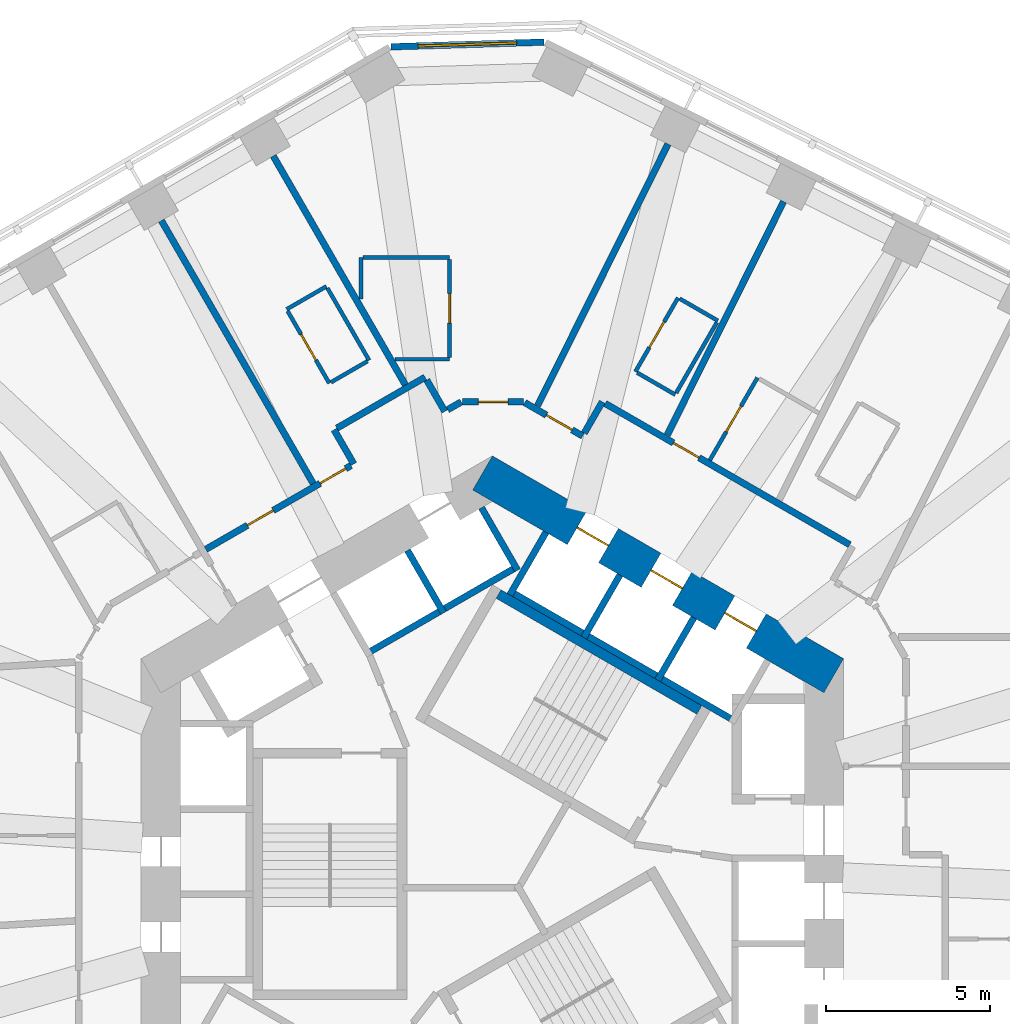
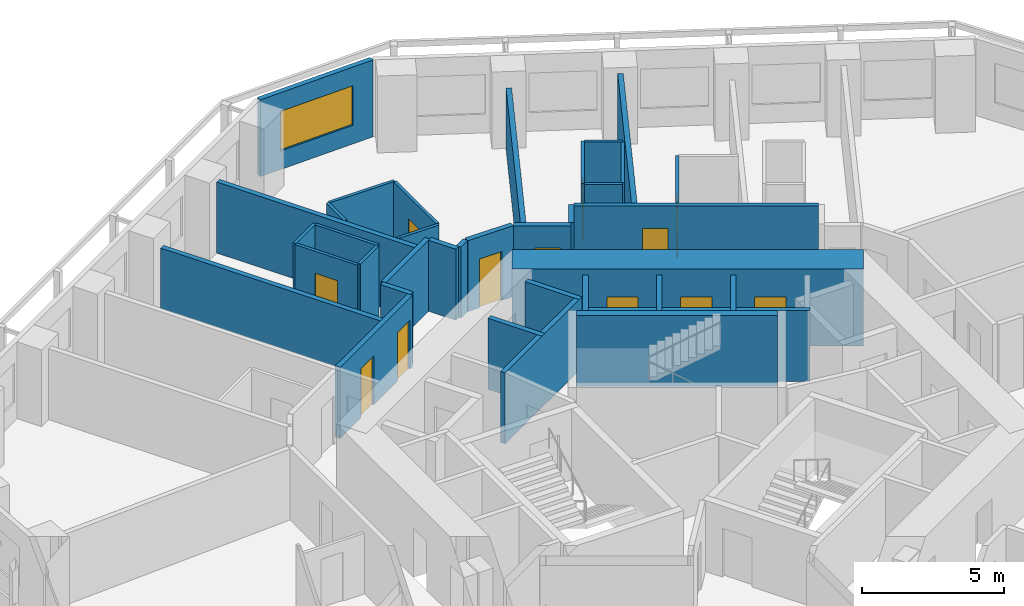
# One storey, part 8 of 12: 36 walls, 12 doors, 1 window, 13 openings.
"""IFC4 building model written with IfcOpenShell, lengths in metres."""

from ifc_helpers import new_model, si_unit, direction, frame, frame_2d, origin, place, context, subcontext, project, spatial, rectangle, extrude, material, layer, layer_set, type_object, element, fill, save


model = new_model("IFC4")

# Units and contexts
model_context = context("Model", 3, precision=1e-05, world=origin(), true_north=direction((0.0, 1.0)))
body_context = subcontext(model_context, "Body", "Model", "MODEL_VIEW")
ifc_project = project(units=[si_unit("LENGTHUNIT", "METRE"), si_unit("AREAUNIT", "SQUARE_METRE"), si_unit("VOLUMEUNIT", "CUBIC_METRE"), si_unit("PLANEANGLEUNIT", "RADIAN"), si_unit("MASSUNIT", "GRAM", prefix="KILO")], contexts=[model_context])

# Site, building, storey
site_placement = place(None, origin())
site = spatial("IfcSite", under=ifc_project, at=site_placement, CompositionType="ELEMENT")
building_placement = place(site_placement, origin())
building = spatial("IfcBuilding", under=site, at=building_placement, Name="Vanh Sen Convention Tower", CompositionType="ELEMENT")
storey_placement = place(building_placement, frame((0.0, 0.0, 67.10009765625)))
storey = spatial("IfcBuildingStorey", under=building, at=storey_placement, Name="L14", CompositionType="ELEMENT", Elevation=67.10009765625)

# Walls
ifc_material_1 = material(Name="Moisture-resistant gypsum board on steel studs", Category="steel")
ifc_layer_1 = layer(ifc_material_1, 0.1201171875)
ifc_layer_set_1 = layer_set([ifc_layer_1], Name="Moisture-resistant gypsum board on steel studs")
wall_type_1 = type_object("IfcWallType", Name="Bathroom partition 120", PredefinedType="PARTITIONING", material=ifc_layer_set_1)
wall_1_placement = place(storey_placement, frame((-6.268310546875, 16.8203125, 0.0), z_axis=(0.0, 0.0, 1.0), x_axis=(0.866002662425, 0.500039387122, 0.0)))
element("IfcWall", 1, at=wall_1_placement, inside=storey, type_object=wall_type_1, Name="Bathroom partition 120", PredefinedType="PARTITIONING", context=body_context, shape_type="SweptSolid", body=[
    extrude(rectangle(XDim=1.400390625, YDim=0.1201171875, at=frame_2d((0.7001953125, 0.0))), origin(), (0.0, 0.0, 1.0), 3.0498046875),
])
wall_2_placement = place(storey_placement, frame((-5.025634765625, 17.468505859375, 0.0), z_axis=(0.0, 0.0, 1.0), x_axis=(0.500005339912, -0.866022320763, 0.0)))
element("IfcWall", 2, at=wall_2_placement, inside=storey, type_object=wall_type_1, Name="Bathroom partition 120", PredefinedType="PARTITIONING", context=body_context, shape_type="SweptSolid", body=[
    extrude(rectangle(XDim=2.5400390625, YDim=0.1201171875, at=frame_2d((1.27001953125, 0.0))), origin(), (0.0, 0.0, 1.0), 3.0498046875),
])

# Wall, opening, door
wall_3_placement = place(storey_placement, frame((-4.96826171875, 14.56884765625, 0.0), z_axis=(0.0, 0.0, 1.0), x_axis=(-0.500046963369, 0.865998287773, 0.0)))
wall_3 = element("IfcWall", 3, at=wall_3_placement, inside=storey, type_object=wall_type_1, Name="Bathroom partition 120", PredefinedType="PARTITIONING", context=body_context, shape_type="SweptSolid", body=[
    extrude(rectangle(XDim=2.539794921875, YDim=0.1201171875, at=frame_2d((1.27001953125, 0.0))), origin(), (0.0, 0.0, 1.0), 3.0498046875),
])
opening_1_placement = place(wall_3_placement, frame((0.820068359375, 0.0, 0.0)))
opening_1 = element("IfcOpeningElement", 4, at=opening_1_placement, cuts=wall_3, Name="Opening D13114", PredefinedType="OPENING", context=body_context, shape_type="SweptSolid", body=[
    extrude(rectangle(XDim=0.89990234375, YDim=2.10009765625, at=frame_2d((0.449951171875, 1.050048828125))), frame((0.0, 0.070068359375, 0.0), z_axis=(0.0, -1.0, 0.0), x_axis=(1.0, 0.0, 0.0)), (0.0, 0.0, 1.0), 0.14013671875),
])
ifc_material_2 = material(Name="Laminate door in steel frame", Category="steel")
door_type_1 = type_object("IfcDoorType", Name="En-suite door 900", OperationType="SINGLE_SWING_LEFT", PredefinedType="DOOR", material=ifc_material_2)
door_1_placement = place(opening_1_placement, origin())
door_1 = element("IfcDoor", 5, at=door_1_placement, inside=storey, type_object=door_type_1, Name="En-suite door D13114", OperationType="SINGLE_SWING_LEFT", OverallHeight=2.10009765625, OverallWidth=0.89990234375, PredefinedType="DOOR", context=body_context, shape_type="SweptSolid", body=[
    extrude(rectangle(XDim=0.89990234375, YDim=2.10009765625, at=frame_2d((0.449951171875, 1.050048828125))), frame((0.0, 0.02490234375, 0.0), z_axis=(0.0, -1.0, 0.0), x_axis=(1.0, 0.0, 0.0)), (0.0, 0.0, 1.0), 0.050048828125),
])
fill(opening_1, door_1)

# Walls
wall_4_placement = place(storey_placement, frame((-4.0, 17.137451171875, 0.0), z_axis=(0.0, 0.0, 1.0), x_axis=(0.0, 1.0, 0.0)))
element("IfcWall", 6, at=wall_4_placement, inside=storey, type_object=wall_type_1, Name="Bathroom partition 120", PredefinedType="PARTITIONING", context=body_context, shape_type="SweptSolid", body=[
    extrude(rectangle(XDim=1.26318359375, YDim=0.1201171875, at=frame_2d((0.631591796875, 0.0))), origin(), (0.0, 0.0, 1.0), 3.0498046875),
])
wall_5_placement = place(storey_placement, frame((-3.93994140625, 18.400634765625, 0.0), z_axis=(0.0, 0.0, 1.0), x_axis=(1.0, 0.0, 0.0)))
element("IfcWall", 7, at=wall_5_placement, inside=storey, type_object=wall_type_1, Name="Bathroom partition 120", PredefinedType="PARTITIONING", context=body_context, shape_type="SweptSolid", body=[
    extrude(rectangle(XDim=2.639892578125, YDim=0.1201171875, at=frame_2d((1.31982421875, 0.0))), origin(), (0.0, 0.0, 1.0), 3.0498046875),
])
wall_6_placement = place(storey_placement, frame((-3.8076171875, 15.23876953125, 0.0), z_axis=(0.0, 0.0, 1.0), x_axis=(-0.866087136806, -0.499893060024, 0.0)))
element("IfcWall", 8, at=wall_6_placement, inside=storey, type_object=wall_type_1, Name="Bathroom partition 120", PredefinedType="PARTITIONING", context=body_context, shape_type="SweptSolid", body=[
    extrude(rectangle(XDim=1.280029296875, YDim=0.1201171875, at=frame_2d((0.64013671875, 0.0))), origin(), (0.0, 0.0, 1.0), 3.0498046875),
])
wall_7_placement = place(storey_placement, frame((-1.300048828125, 15.30078125, 0.0), z_axis=(0.0, 0.0, 1.0), x_axis=(-1.0, 0.0, 0.0)))
element("IfcWall", 9, at=wall_7_placement, inside=storey, type_object=wall_type_1, Name="Bathroom partition 120", PredefinedType="PARTITIONING", context=body_context, shape_type="SweptSolid", body=[
    extrude(rectangle(XDim=1.6611328125, YDim=0.1201171875, at=frame_2d((0.83056640625, 0.0))), origin(), (0.0, 0.0, 1.0), 3.0498046875),
])

# Wall, opening, door
wall_8_placement = place(storey_placement, frame((-1.300048828125, 18.3408203125, 0.0), z_axis=(0.0, 0.0, 1.0), x_axis=(0.0, -1.0, 0.0)))
wall_8 = element("IfcWall", 10, at=wall_8_placement, inside=storey, type_object=wall_type_1, Name="Bathroom partition 120", PredefinedType="PARTITIONING", context=body_context, shape_type="SweptSolid", body=[
    extrude(rectangle(XDim=2.980224609375, YDim=0.1201171875, at=frame_2d((1.490234375, 0.0))), origin(), (0.0, 0.0, 1.0), 3.0498046875),
])
opening_2_placement = place(wall_8_placement, frame((1.0400390625, 0.0, 0.0)))
opening_2 = element("IfcOpeningElement", 11, at=opening_2_placement, cuts=wall_8, Name="Opening D13112", PredefinedType="OPENING", context=body_context, shape_type="SweptSolid", body=[
    extrude(rectangle(XDim=0.89990234375, YDim=2.10009765625, at=frame_2d((0.449951171875, 1.050048828125))), frame((0.0, 0.070068359375, 0.0), z_axis=(0.0, -1.0, 0.0), x_axis=(1.0, 0.0, 0.0)), (0.0, 0.0, 1.0), 0.14013671875),
])
door_2_placement = place(opening_2_placement, origin())
door_2 = element("IfcDoor", 12, at=door_2_placement, inside=storey, type_object=door_type_1, Name="En-suite door D13112", OperationType="SINGLE_SWING_LEFT", OverallHeight=2.10009765625, OverallWidth=0.89990234375, PredefinedType="DOOR", context=body_context, shape_type="SweptSolid", body=[
    extrude(rectangle(XDim=0.89990234375, YDim=2.10009765625, at=frame_2d((0.449951171875, 1.050048828125))), frame((0.0, 0.02490234375, 0.0), z_axis=(0.0, -1.0, 0.0), x_axis=(1.0, 0.0, 0.0)), (0.0, 0.0, 1.0), 0.050048828125),
])
fill(opening_2, door_2)

wall_9_placement = place(storey_placement, frame((4.356201171875, 14.922119140625, 0.0), z_axis=(0.0, 0.0, 1.0), x_axis=(0.499936506574, 0.866062058628, 0.0)))
wall_9 = element("IfcWall", 13, at=wall_9_placement, inside=storey, type_object=wall_type_1, Name="Bathroom partition 120", PredefinedType="PARTITIONING", context=body_context, shape_type="SweptSolid", body=[
    extrude(rectangle(XDim=2.599853515625, YDim=0.1201171875, at=frame_2d((1.2998046875, 0.0))), origin(), (0.0, 0.0, 1.0), 3.0498046875),
])
opening_3_placement = place(wall_9_placement, frame((0.85009765625, 0.0, 0.0)))
opening_3 = element("IfcOpeningElement", 14, at=opening_3_placement, cuts=wall_9, Name="Opening D13110", PredefinedType="OPENING", context=body_context, shape_type="SweptSolid", body=[
    extrude(rectangle(XDim=0.89990234375, YDim=2.10009765625, at=frame_2d((0.449951171875, 1.050048828125))), frame((0.0, 0.070068359375, 0.0), z_axis=(0.0, -1.0, 0.0), x_axis=(1.0, 0.0, 0.0)), (0.0, 0.0, 1.0), 0.14013671875),
])
door_3_placement = place(opening_3_placement, origin())
door_3 = element("IfcDoor", 15, at=door_3_placement, inside=storey, type_object=door_type_1, Name="En-suite door D13110", OperationType="SINGLE_SWING_LEFT", OverallHeight=2.10009765625, OverallWidth=0.89990234375, PredefinedType="DOOR", context=body_context, shape_type="SweptSolid", body=[
    extrude(rectangle(XDim=0.89990234375, YDim=2.10009765625, at=frame_2d((0.449951171875, 1.050048828125))), frame((0.0, 0.02490234375, 0.0), z_axis=(0.0, -1.0, 0.0), x_axis=(1.0, 0.0, 0.0)), (0.0, 0.0, 1.0), 0.050048828125),
])
fill(opening_3, door_3)

# Walls
wall_10_placement = place(storey_placement, frame((5.568603515625, 14.22216796875, 0.0), z_axis=(0.0, 0.0, 1.0), x_axis=(-0.866036909293, 0.499980071345, 0.0)))
element("IfcWall", 16, at=wall_10_placement, inside=storey, type_object=wall_type_1, Name="Bathroom partition 120", PredefinedType="PARTITIONING", context=body_context, shape_type="SweptSolid", body=[
    extrude(rectangle(XDim=1.33984375, YDim=0.1201171875, at=frame_2d((0.669921875, 0.0))), origin(), (0.0, 0.0, 1.0), 3.0498046875),
])
wall_11_placement = place(storey_placement, frame((5.7080078125, 17.143798828125, 0.0), z_axis=(0.0, 0.0, 1.0), x_axis=(0.866082447003, -0.499901185229, 0.0)))
element("IfcWall", 17, at=wall_11_placement, inside=storey, type_object=wall_type_1, Name="Bathroom partition 120", PredefinedType="PARTITIONING", context=body_context, shape_type="SweptSolid", body=[
    extrude(rectangle(XDim=1.340087890625, YDim=0.1201171875, at=frame_2d((0.669921875, 0.0))), origin(), (0.0, 0.0, 1.0), 3.0498046875),
])

# Wall, opening, door
wall_12_placement = place(storey_placement, frame((6.624755859375, 12.226806640625, 0.0), z_axis=(0.0, 0.0, 1.0), x_axis=(0.500023687443, 0.866011727401, 0.0)))
wall_12 = element("IfcWall", 18, at=wall_12_placement, inside=storey, type_object=wall_type_1, Name="Bathroom partition 120", PredefinedType="PARTITIONING", context=body_context, shape_type="SweptSolid", body=[
    extrude(rectangle(XDim=2.899658203125, YDim=0.1201171875, at=frame_2d((1.44970703125, 0.0))), origin(), (0.0, 0.0, 1.0), 3.0498046875),
])
opening_4_placement = place(wall_12_placement, frame((1.0, 0.0, 0.0)))
opening_4 = element("IfcOpeningElement", 19, at=opening_4_placement, cuts=wall_12, Name="Opening D13108", PredefinedType="OPENING", context=body_context, shape_type="SweptSolid", body=[
    extrude(rectangle(XDim=0.89990234375, YDim=2.10009765625, at=frame_2d((0.449951171875, 1.050048828125))), frame((0.0, 0.070068359375, 0.0), z_axis=(0.0, -1.0, 0.0), x_axis=(1.0, 0.0, 0.0)), (0.0, 0.0, 1.0), 0.14013671875),
])
door_4_placement = place(opening_4_placement, origin())
door_4 = element("IfcDoor", 20, at=door_4_placement, inside=storey, type_object=door_type_1, Name="En-suite door D13108", OperationType="SINGLE_SWING_LEFT", OverallHeight=2.10009765625, OverallWidth=0.89990234375, PredefinedType="DOOR", context=body_context, shape_type="SweptSolid", body=[
    extrude(rectangle(XDim=0.89990234375, YDim=2.10009765625, at=frame_2d((0.449951171875, 1.050048828125))), frame((0.0, 0.02490234375, 0.0), z_axis=(0.0, -1.0, 0.0), x_axis=(1.0, 0.0, 0.0)), (0.0, 0.0, 1.0), 0.050048828125),
])
fill(opening_4, door_4)

# Wall
wall_13_placement = place(storey_placement, frame((6.838623046875, 16.421875, 0.0), z_axis=(0.0, 0.0, 1.0), x_axis=(-0.50000366821, -0.866023285932, 0.0)))
element("IfcWall", 21, at=wall_13_placement, inside=storey, type_object=wall_type_1, Name="Bathroom partition 120", PredefinedType="PARTITIONING", context=body_context, shape_type="SweptSolid", body=[
    extrude(rectangle(XDim=2.47998046875, YDim=0.1201171875, at=frame_2d((1.239990234375, 0.0))), origin(), (0.0, 0.0, 1.0), 3.0498046875),
])

# Wall, openings, doors
ifc_material_3 = material(Name="Concrete C80/95", Category="concrete")
ifc_layer_2 = layer(ifc_material_3, 1.199951171875)
ifc_layer_set_2 = layer_set([ifc_layer_2], Name="Concrete C80/95")
wall_type_2 = type_object("IfcWallType", Name="Core outer wall 1200 C80/95", PredefinedType="SHEAR", material=ifc_layer_set_2)
wall_14_placement = place(storey_placement, frame((10.39990234375, 5.657958984375, 0.0), z_axis=(0.0, 0.0, 1.0), x_axis=(-0.866021384402, 0.500006961711, 0.0)))
wall_14 = element("IfcWall", 22, at=wall_14_placement, inside=storey, type_object=wall_type_2, Name="Core wall face NE L14", PredefinedType="SHEAR", context=body_context, shape_type="SweptSolid", body=[
    extrude(rectangle(XDim=12.355224609375, YDim=1.199951171875, at=frame_2d((6.177734375, 0.0))), origin(), (0.0, 0.0, 1.0), 3.2998046875),
])
opening_5_placement = place(wall_14_placement, frame((2.727783203125, 0.0, 0.0)))
opening_5 = element("IfcOpeningElement", 23, at=opening_5_placement, cuts=wall_14, Name="Opening LD-LR3", PredefinedType="OPENING", context=body_context, shape_type="SweptSolid", body=[
    extrude(rectangle(XDim=1.10009765625, YDim=2.10009765625, at=frame_2d((0.550048828125, 1.050048828125))), frame((0.0, 0.60986328125, 0.0), z_axis=(0.0, -1.0, 0.0), x_axis=(1.0, 0.0, 0.0)), (0.0, 0.0, 1.0), 1.219970703125),
])
opening_6_placement = place(wall_14_placement, frame((5.32763671875, 0.0, 0.0)))
opening_6 = element("IfcOpeningElement", 24, at=opening_6_placement, cuts=wall_14, Name="Opening LD-LR4", PredefinedType="OPENING", context=body_context, shape_type="SweptSolid", body=[
    extrude(rectangle(XDim=1.10009765625, YDim=2.10009765625, at=frame_2d((0.550048828125, 1.050048828125))), frame((0.0, 0.60986328125, 0.0), z_axis=(0.0, -1.0, 0.0), x_axis=(1.0, 0.0, 0.0)), (0.0, 0.0, 1.0), 1.219970703125),
])
opening_7_placement = place(wall_14_placement, frame((7.927734375, 0.0, 0.0)))
opening_7 = element("IfcOpeningElement", 25, at=opening_7_placement, cuts=wall_14, Name="Opening LD-LR5", PredefinedType="OPENING", context=body_context, shape_type="SweptSolid", body=[
    extrude(rectangle(XDim=1.10009765625, YDim=2.10009765625, at=frame_2d((0.550048828125, 1.050048828125))), frame((0.0, 0.60986328125, 0.0), z_axis=(0.0, -1.0, 0.0), x_axis=(1.0, 0.0, 0.0)), (0.0, 0.0, 1.0), 1.219970703125),
])
ifc_material_4 = material(Name="Stainless steel", Category="steel")
door_type_2 = type_object("IfcDoorType", Name="Lift landing door 1100", OperationType="DOUBLE_DOOR_SLIDING", PredefinedType="DOOR", material=ifc_material_4)
door_5_placement = place(opening_5_placement, origin())
door_5 = element("IfcDoor", 26, at=door_5_placement, inside=storey, type_object=door_type_2, Name="Lift LR3 landing door LD-LR3", OperationType="DOUBLE_DOOR_SLIDING", OverallHeight=2.10009765625, OverallWidth=1.10009765625, PredefinedType="DOOR", context=body_context, shape_type="SweptSolid", body=[
    extrude(rectangle(XDim=1.10009765625, YDim=2.10009765625, at=frame_2d((0.550048828125, 1.050048828125))), frame((0.0, 0.02490234375, 0.0), z_axis=(0.0, -1.0, 0.0), x_axis=(1.0, 0.0, 0.0)), (0.0, 0.0, 1.0), 0.050048828125),
])
fill(opening_5, door_5)
door_6_placement = place(opening_6_placement, origin())
door_6 = element("IfcDoor", 27, at=door_6_placement, inside=storey, type_object=door_type_2, Name="Lift LR4 landing door LD-LR4", OperationType="DOUBLE_DOOR_SLIDING", OverallHeight=2.10009765625, OverallWidth=1.10009765625, PredefinedType="DOOR", context=body_context, shape_type="SweptSolid", body=[
    extrude(rectangle(XDim=1.10009765625, YDim=2.10009765625, at=frame_2d((0.550048828125, 1.050048828125))), frame((0.0, 0.02490234375, 0.0), z_axis=(0.0, -1.0, 0.0), x_axis=(1.0, 0.0, 0.0)), (0.0, 0.0, 1.0), 0.050048828125),
])
fill(opening_6, door_6)
door_7_placement = place(opening_7_placement, origin())
door_7 = element("IfcDoor", 28, at=door_7_placement, inside=storey, type_object=door_type_2, Name="Lift LR5 landing door LD-LR5", OperationType="DOUBLE_DOOR_SLIDING", OverallHeight=2.10009765625, OverallWidth=1.10009765625, PredefinedType="DOOR", context=body_context, shape_type="SweptSolid", body=[
    extrude(rectangle(XDim=1.10009765625, YDim=2.10009765625, at=frame_2d((0.550048828125, 1.050048828125))), frame((0.0, 0.02490234375, 0.0), z_axis=(0.0, -1.0, 0.0), x_axis=(1.0, 0.0, 0.0)), (0.0, 0.0, 1.0), 0.050048828125),
])
fill(opening_7, door_7)

# Wall
ifc_material_5 = material(Name="Gypsum board on steel studs with mineral wool", Category="steel")
ifc_layer_3 = layer(ifc_material_5, 0.199951171875)
ifc_layer_set_3 = layer_set([ifc_layer_3], Name="Gypsum board on steel studs with mineral wool")
wall_type_3 = type_object("IfcWallType", Name="Corridor partition wall 200", PredefinedType="PARTITIONING", material=ifc_layer_set_3)
wall_15_placement = place(storey_placement, frame((-4.822998046875, 13.151611328125, 0.0), z_axis=(0.0, 0.0, 1.0), x_axis=(0.499986357472, -0.866033280158, 0.0)))
element("IfcWall", 29, at=wall_15_placement, inside=storey, type_object=wall_type_3, Name="Corridor partition wall 200", PredefinedType="PARTITIONING", context=body_context, shape_type="SweptSolid", body=[
    extrude(rectangle(XDim=1.201171875, YDim=0.199951171875, at=frame_2d((0.6005859375, 0.0))), origin(), (0.0, 0.0, 1.0), 3.0498046875),
])

# Wall, openings, doors
wall_16_placement = place(storey_placement, frame((-4.30908203125, 12.061279296875, 0.0), z_axis=(0.0, 0.0, 1.0), x_axis=(-0.866020679205, -0.500008183122, 0.0)))
wall_16 = element("IfcWall", 30, at=wall_16_placement, inside=storey, type_object=wall_type_3, Name="Corridor partition wall 200", PredefinedType="PARTITIONING", context=body_context, shape_type="SweptSolid", body=[
    extrude(rectangle(XDim=5.103515625, YDim=0.199951171875, at=frame_2d((2.5517578125, 0.0))), origin(), (0.0, 0.0, 1.0), 3.0498046875),
])
opening_8_placement = place(wall_16_placement, frame((0.1845703125, 0.0, 0.0)))
opening_8 = element("IfcOpeningElement", 31, at=opening_8_placement, cuts=wall_16, Name="Opening D13113", PredefinedType="OPENING", context=body_context, shape_type="SweptSolid", body=[
    extrude(rectangle(XDim=0.89990234375, YDim=2.10009765625, at=frame_2d((0.449951171875, 1.050048828125))), frame((0.0, 0.10986328125, 0.0), z_axis=(0.0, -1.0, 0.0), x_axis=(1.0, 0.0, 0.0)), (0.0, 0.0, 1.0), 0.219970703125),
])
opening_9_placement = place(wall_16_placement, frame((2.736083984375, 0.0, 0.0)))
opening_9 = element("IfcOpeningElement", 32, at=opening_9_placement, cuts=wall_16, Name="Opening D13115", PredefinedType="OPENING", context=body_context, shape_type="SweptSolid", body=[
    extrude(rectangle(XDim=0.89990234375, YDim=2.10009765625, at=frame_2d((0.449951171875, 1.050048828125))), frame((0.0, 0.10986328125, 0.0), z_axis=(0.0, -1.0, 0.0), x_axis=(1.0, 0.0, 0.0)), (0.0, 0.0, 1.0), 0.219970703125),
])
ifc_material_6 = material(Name="Timber fire door in steel frame", Category="steel")
door_type_3 = type_object("IfcDoorType", Name="Floor service door 900", OperationType="SINGLE_SWING_LEFT", PredefinedType="DOOR", material=ifc_material_6)
door_8_placement = place(opening_9_placement, origin())
door_8 = element("IfcDoor", 33, at=door_8_placement, inside=storey, type_object=door_type_3, Name="Service room door D13115", OperationType="SINGLE_SWING_LEFT", OverallHeight=2.10009765625, OverallWidth=0.89990234375, PredefinedType="DOOR", context=body_context, shape_type="SweptSolid", body=[
    extrude(rectangle(XDim=0.89990234375, YDim=2.10009765625, at=frame_2d((0.449951171875, 1.050048828125))), frame((0.0, 0.02490234375, 0.0), z_axis=(0.0, -1.0, 0.0), x_axis=(1.0, 0.0, 0.0)), (0.0, 0.0, 1.0), 0.050048828125),
])
fill(opening_9, door_8)
door_type_4 = type_object("IfcDoorType", Name="Guest room door 900", OperationType="SINGLE_SWING_LEFT", PredefinedType="DOOR", material=ifc_material_6)
door_9_placement = place(opening_8_placement, origin())
door_9 = element("IfcDoor", 34, at=door_9_placement, inside=storey, type_object=door_type_4, Name="Hotel guest room door D13113", OperationType="SINGLE_SWING_LEFT", OverallHeight=2.10009765625, OverallWidth=0.89990234375, PredefinedType="DOOR", context=body_context, shape_type="SweptSolid", body=[
    extrude(rectangle(XDim=0.89990234375, YDim=2.10009765625, at=frame_2d((0.449951171875, 1.050048828125))), frame((0.0, 0.02490234375, 0.0), z_axis=(0.0, -1.0, 0.0), x_axis=(1.0, 0.0, 0.0)), (0.0, 0.0, 1.0), 0.050048828125),
])
fill(opening_8, door_9)

# Walls
wall_17_placement = place(storey_placement, frame((-2.0498046875, 14.75244140625, 0.0), z_axis=(0.0, 0.0, 1.0), x_axis=(-0.866030936828, -0.499990416364, 0.0)))
element("IfcWall", 35, at=wall_17_placement, inside=storey, type_object=wall_type_3, Name="Corridor partition wall 200", PredefinedType="PARTITIONING", context=body_context, shape_type="SweptSolid", body=[
    extrude(rectangle(XDim=3.10205078125, YDim=0.199951171875, at=frame_2d((1.551025390625, 0.0))), origin(), (0.0, 0.0, 1.0), 3.0498046875),
])
wall_18_placement = place(storey_placement, frame((-1.449462890625, 13.71240234375, 0.0), z_axis=(0.0, 0.0, 1.0), x_axis=(-0.499978356969, 0.866037899034, 0.0)))
element("IfcWall", 36, at=wall_18_placement, inside=storey, type_object=wall_type_3, Name="Corridor partition wall 200", PredefinedType="PARTITIONING", context=body_context, shape_type="SweptSolid", body=[
    extrude(rectangle(XDim=1.10107421875, YDim=0.199951171875, at=frame_2d((0.550537109375, 0.0))), origin(), (0.0, 0.0, 1.0), 3.0498046875),
])
wall_19_placement = place(storey_placement, frame((-0.949951171875, 14.000732421875, 0.0), z_axis=(0.0, 0.0, 1.0), x_axis=(-0.86609177584, -0.499885022602, 0.0)))
element("IfcWall", 37, at=wall_19_placement, inside=storey, type_object=wall_type_3, Name="Corridor partition wall 200", PredefinedType="PARTITIONING", context=body_context, shape_type="SweptSolid", body=[
    extrude(rectangle(XDim=0.4765625, YDim=0.199951171875, at=frame_2d((0.23828125, 0.0))), origin(), (0.0, 0.0, 1.0), 3.0498046875),
])

# Wall, opening, door
wall_20_placement = place(storey_placement, frame((0.949951171875, 14.000732421875, 0.0), z_axis=(0.0, 0.0, 1.0), x_axis=(-1.0, 0.0, 0.0)))
wall_20 = element("IfcWall", 38, at=wall_20_placement, inside=storey, type_object=wall_type_3, Name="Corridor partition wall 200", PredefinedType="PARTITIONING", context=body_context, shape_type="SweptSolid", body=[
    extrude(rectangle(XDim=1.85986328125, YDim=0.199951171875, at=frame_2d((0.929931640625, 0.0))), origin(), (0.0, 0.0, 1.0), 3.0498046875),
])
opening_10_placement = place(wall_20_placement, frame((0.47998046875, 0.0, 0.0)))
opening_10 = element("IfcOpeningElement", 39, at=opening_10_placement, cuts=wall_20, Name="Opening D13111", PredefinedType="OPENING", context=body_context, shape_type="SweptSolid", body=[
    extrude(rectangle(XDim=0.89990234375, YDim=2.10009765625, at=frame_2d((0.449951171875, 1.050048828125))), frame((0.0, 0.10986328125, 0.0), z_axis=(0.0, -1.0, 0.0), x_axis=(1.0, 0.0, 0.0)), (0.0, 0.0, 1.0), 0.219970703125),
])
door_10_placement = place(opening_10_placement, origin())
door_10 = element("IfcDoor", 40, at=door_10_placement, inside=storey, type_object=door_type_4, Name="Hotel guest room door D13111", OperationType="SINGLE_SWING_LEFT", OverallHeight=2.10009765625, OverallWidth=0.89990234375, PredefinedType="DOOR", context=body_context, shape_type="SweptSolid", body=[
    extrude(rectangle(XDim=0.89990234375, YDim=2.10009765625, at=frame_2d((0.449951171875, 1.050048828125))), frame((0.0, 0.02490234375, 0.0), z_axis=(0.0, -1.0, 0.0), x_axis=(1.0, 0.0, 0.0)), (0.0, 0.0, 1.0), 0.050048828125),
])
fill(opening_10, door_10)

wall_21_placement = place(storey_placement, frame((2.748291015625, 12.96240234375, 0.0), z_axis=(0.0, 0.0, 1.0), x_axis=(-0.866013897511, 0.50001992892, 0.0)))
wall_21 = element("IfcWall", 41, at=wall_21_placement, inside=storey, type_object=wall_type_3, Name="Corridor partition wall 200", PredefinedType="PARTITIONING", context=body_context, shape_type="SweptSolid", body=[
    extrude(rectangle(XDim=2.03662109375, YDim=0.199951171875, at=frame_2d((1.018310546875, 0.0))), origin(), (0.0, 0.0, 1.0), 3.0498046875),
])
opening_11_placement = place(wall_21_placement, frame((0.371826171875, 0.0, 0.0)))
opening_11 = element("IfcOpeningElement", 42, at=opening_11_placement, cuts=wall_21, Name="Opening D13109", PredefinedType="OPENING", context=body_context, shape_type="SweptSolid", body=[
    extrude(rectangle(XDim=0.89990234375, YDim=2.10009765625, at=frame_2d((0.449951171875, 1.050048828125))), frame((0.0, 0.10986328125, 0.0), z_axis=(0.0, -1.0, 0.0), x_axis=(1.0, 0.0, 0.0)), (0.0, 0.0, 1.0), 0.219970703125),
])
door_11_placement = place(opening_11_placement, origin())
door_11 = element("IfcDoor", 43, at=door_11_placement, inside=storey, type_object=door_type_4, Name="Hotel guest room door D13109", OperationType="SINGLE_SWING_LEFT", OverallHeight=2.10009765625, OverallWidth=0.89990234375, PredefinedType="DOOR", context=body_context, shape_type="SweptSolid", body=[
    extrude(rectangle(XDim=0.89990234375, YDim=2.10009765625, at=frame_2d((0.449951171875, 1.050048828125))), frame((0.0, 0.02490234375, 0.0), z_axis=(0.0, -1.0, 0.0), x_axis=(1.0, 0.0, 0.0)), (0.0, 0.0, 1.0), 0.050048828125),
])
fill(opening_11, door_11)

# Wall
wall_22_placement = place(storey_placement, frame((3.348876953125, 14.00244140625, 0.0), z_axis=(0.0, 0.0, 1.0), x_axis=(-0.500074377092, -0.865982457891, 0.0)))
element("IfcWall", 44, at=wall_22_placement, inside=storey, type_object=wall_type_3, Name="Corridor partition wall 200", PredefinedType="PARTITIONING", context=body_context, shape_type="SweptSolid", body=[
    extrude(rectangle(XDim=1.100830078125, YDim=0.199951171875, at=frame_2d((0.55029296875, 0.0))), origin(), (0.0, 0.0, 1.0), 3.0498046875),
])

# Wall, opening, door
wall_23_placement = place(storey_placement, frame((10.885009765625, 9.651611328125, 0.0), z_axis=(0.0, 0.0, 1.0), x_axis=(-0.866033868542, 0.499985338323, 0.0)))
wall_23 = element("IfcWall", 45, at=wall_23_placement, inside=storey, type_object=wall_type_3, Name="Corridor partition wall 200", PredefinedType="PARTITIONING", context=body_context, shape_type="SweptSolid", body=[
    extrude(rectangle(XDim=8.601806640625, YDim=0.199951171875, at=frame_2d((4.30078125, 0.0))), origin(), (0.0, 0.0, 1.0), 3.0498046875),
])
opening_12_placement = place(wall_23_placement, frame((5.302001953125, 0.0, 0.0)))
opening_12 = element("IfcOpeningElement", 46, at=opening_12_placement, cuts=wall_23, Name="Opening D13107", PredefinedType="OPENING", context=body_context, shape_type="SweptSolid", body=[
    extrude(rectangle(XDim=0.89990234375, YDim=2.10009765625, at=frame_2d((0.449951171875, 1.050048828125))), frame((0.0, 0.10986328125, 0.0), z_axis=(0.0, -1.0, 0.0), x_axis=(1.0, 0.0, 0.0)), (0.0, 0.0, 1.0), 0.219970703125),
])
door_12_placement = place(opening_12_placement, origin())
door_12 = element("IfcDoor", 47, at=door_12_placement, inside=storey, type_object=door_type_4, Name="Hotel guest room door D13107", OperationType="SINGLE_SWING_LEFT", OverallHeight=2.10009765625, OverallWidth=0.89990234375, PredefinedType="DOOR", context=body_context, shape_type="SweptSolid", body=[
    extrude(rectangle(XDim=0.89990234375, YDim=2.10009765625, at=frame_2d((0.449951171875, 1.050048828125))), frame((0.0, 0.02490234375, 0.0), z_axis=(0.0, -1.0, 0.0), x_axis=(1.0, 0.0, 0.0)), (0.0, 0.0, 1.0), 0.050048828125),
])
fill(opening_12, door_12)

# Wall, opening, window
ifc_material_7 = material(Name="Insulated lightweight infill wall")
ifc_layer_4 = layer(ifc_material_7, 0.199951171875)
ifc_layer_set_4 = layer_set([ifc_layer_4], Name="Insulated lightweight infill wall")
wall_type_4 = type_object("IfcWallType", Name="External wall 200", PredefinedType="STANDARD", material=ifc_layer_set_4)
wall_24_placement = place(storey_placement, frame((1.568359375, 24.9609375, 0.0), z_axis=(0.0, 0.0, 1.0), x_axis=(-0.999533359013, -0.030546099927, 0.0)))
wall_24 = element("IfcWall", 48, at=wall_24_placement, inside=storey, type_object=wall_type_4, Name="External wall CH2 L14", PredefinedType="STANDARD", context=body_context, shape_type="SweptSolid", body=[
    extrude(rectangle(XDim=4.65966796875, YDim=0.199951171875, at=frame_2d((2.329833984375, 0.0))), origin(), (0.0, 0.0, 1.0), 3.2998046875),
])
opening_13_placement = place(wall_24_placement, frame((0.829833984375, 0.0, 0.800048828125)))
opening_13 = element("IfcOpeningElement", 49, at=opening_13_placement, cuts=wall_24, Name="Opening WH2-CH21", PredefinedType="OPENING", context=body_context, shape_type="SweptSolid", body=[
    extrude(rectangle(XDim=3.0, YDim=1.699951171875, at=frame_2d((1.5, 0.85009765625))), frame((0.0, 0.10986328125, 0.0), z_axis=(0.0, -1.0, 0.0), x_axis=(1.0, 0.0, 0.0)), (0.0, 0.0, 1.0), 0.219970703125),
])
ifc_material_8 = material(Name="Aluminium frame with clear low-emissivity glass", Category="aluminium")
window_type = type_object("IfcWindowType", Name="Hotel window 3000 x 1700", PartitioningType="SINGLE_PANEL", PredefinedType="WINDOW", material=ifc_material_8)
window_placement = place(opening_13_placement, origin())
window = element("IfcWindow", 50, at=window_placement, inside=storey, type_object=window_type, Name="Window WH2-CH21", OverallHeight=1.699951171875, OverallWidth=3.0, PartitioningType="SINGLE_PANEL", PredefinedType="WINDOW", context=body_context, shape_type="SweptSolid", body=[
    extrude(rectangle(XDim=3.0, YDim=1.699951171875, at=frame_2d((1.5, 0.85009765625))), frame((0.0, 0.030029296875, 0.0), z_axis=(0.0, -1.0, 0.0), x_axis=(1.0, 0.0, 0.0)), (0.0, 0.0, 1.0), 0.06005859375),
])
fill(opening_13, window)

# Walls
ifc_layer_5 = layer(ifc_material_5, 0.199951171875)
ifc_layer_set_5 = layer_set([ifc_layer_5], Name="Gypsum board on steel studs with mineral wool")
wall_type_5 = type_object("IfcWallType", Name="Hotel party wall 200", PredefinedType="PARTITIONING", material=ifc_layer_set_5)
wall_25_placement = place(storey_placement, frame((-10.0830078125, 19.5244140625, 0.0), z_axis=(0.0, 0.0, 1.0), x_axis=(0.499999662836, -0.866025598446, 0.0)))
element("IfcWall", 51, at=wall_25_placement, inside=storey, type_object=wall_type_5, Name="Hotel party wall 200", PredefinedType="PARTITIONING", context=body_context, shape_type="SweptSolid", body=[
    extrude(rectangle(XDim=9.25, YDim=0.199951171875, at=frame_2d((4.625, 0.0))), origin(), (0.0, 0.0, 1.0), 2.599853515625),
])
wall_26_placement = place(storey_placement, frame((-6.675537109375, 21.49169921875, 0.0), z_axis=(0.0, 0.0, 1.0), x_axis=(0.500011263043, -0.866018900966, 0.0)))
element("IfcWall", 52, at=wall_26_placement, inside=storey, type_object=wall_type_5, Name="Hotel party wall 200", PredefinedType="PARTITIONING", context=body_context, shape_type="SweptSolid", body=[
    extrude(rectangle(XDim=8.049072265625, YDim=0.199951171875, at=frame_2d((4.0244140625, 0.0))), origin(), (0.0, 0.0, 1.0), 3.0498046875),
])
wall_27_placement = place(storey_placement, frame((5.35107421875, 21.859130859375, 0.0), z_axis=(0.0, 0.0, 1.0), x_axis=(-0.446205309328, -0.894930624086, 0.0)))
element("IfcWall", 53, at=wall_27_placement, inside=storey, type_object=wall_type_5, Name="Hotel party wall 200", PredefinedType="PARTITIONING", context=body_context, shape_type="SweptSolid", body=[
    extrude(rectangle(XDim=8.9130859375, YDim=0.199951171875, at=frame_2d((4.45654296875, 0.0))), origin(), (0.0, 0.0, 1.0), 2.599853515625),
])
wall_28_placement = place(storey_placement, frame((8.872314453125, 20.103515625, 0.0), z_axis=(0.0, 0.0, 1.0), x_axis=(-0.446218378653, -0.894924107706, 0.0)))
element("IfcWall", 54, at=wall_28_placement, inside=storey, type_object=wall_type_5, Name="Hotel party wall 200", PredefinedType="PARTITIONING", context=body_context, shape_type="SweptSolid", body=[
    extrude(rectangle(XDim=7.950439453125, YDim=0.199951171875, at=frame_2d((3.97509765625, 0.0))), origin(), (0.0, 0.0, 1.0), 3.0498046875),
])
ifc_material_9 = material(Name="Concrete C40/50", Category="concrete")
ifc_layer_6 = layer(ifc_material_9, 0.199951171875)
ifc_layer_set_6 = layer_set([ifc_layer_6], Name="Concrete C40/50")
wall_type_6 = type_object("IfcWallType", Name="Lift shaft wall 200", PredefinedType="PARTITIONING", material=ifc_layer_set_6)
wall_29_placement = place(storey_placement, frame((7.423828125, 4.258544921875, 0.0), z_axis=(0.0, 0.0, 1.0), x_axis=(-0.866026010844, 0.49999894854, 0.0)))
element("IfcWall", 55, at=wall_29_placement, inside=storey, type_object=wall_type_6, Name="Lift shaft wall L14", PredefinedType="PARTITIONING", context=body_context, shape_type="SweptSolid", body=[
    extrude(rectangle(XDim=8.0, YDim=0.199951171875, at=frame_2d((4.0, 0.0))), origin(), (0.0, 0.0, 1.0), 3.0498046875),
])
for number, where, z_axis, x_axis, name in (
    (56, (5.03564453125, 5.52197265625, 0.0), (0.0, 0.0, 1.0), (0.499946605688, 0.86605622881, 0.0), "Lift shaft wall L14"),
    (57, (2.783935546875, 6.822021484375, 0.0), (0.0, 0.0, 1.0), (0.50002983664, 0.866008176907, 0.0), "Lift shaft wall L14"),
    (58, (0.5322265625, 8.1220703125, 0.0), (0.0, 0.0, 1.0), (0.500077893725, 0.86598042715, 0.0), "Lift shaft wall L14"),
):
    element("IfcWall", number, at=place(storey_placement, frame(where, z_axis=z_axis, x_axis=x_axis)), inside=storey, type_object=wall_type_6, Name=name, PredefinedType="PARTITIONING", context=body_context, shape_type="SweptSolid", body=[
        extrude(rectangle(XDim=2.199951171875, YDim=0.199951171875, at=frame_2d((1.10009765625, 0.0))), origin(), (0.0, 0.0, 1.0), 3.0498046875),
    ])
wall_30_placement = place(storey_placement, frame((0.80322265625, 9.008544921875, 0.0), z_axis=(0.0, 0.0, 1.0), x_axis=(-0.866028230842, -0.499995103361, 0.0)))
element("IfcWall", 59, at=wall_30_placement, inside=storey, type_object=wall_type_6, Name="Lift shaft wall L14", PredefinedType="PARTITIONING", context=body_context, shape_type="SweptSolid", body=[
    extrude(rectangle(XDim=5.39990234375, YDim=0.199951171875, at=frame_2d((2.699951171875, 0.0))), origin(), (0.0, 0.0, 1.0), 3.0498046875),
])
wall_31_placement = place(storey_placement, frame((0.7666015625, 8.8720703125, 0.0), z_axis=(0.0, 0.0, 1.0), x_axis=(-0.499994660107, 0.866028486751, 0.0)))
element("IfcWall", 60, at=wall_31_placement, inside=storey, type_object=wall_type_6, Name="Lift shaft wall L14", PredefinedType="PARTITIONING", context=body_context, shape_type="SweptSolid", body=[
    extrude(rectangle(XDim=2.19970703125, YDim=0.199951171875, at=frame_2d((1.099853515625, 0.0))), origin(), (0.0, 0.0, 1.0), 3.0498046875),
])
wall_32_placement = place(storey_placement, frame((-1.48486328125, 7.572021484375, 0.0), z_axis=(0.0, 0.0, 1.0), x_axis=(-0.50002983664, 0.866008176907, 0.0)))
element("IfcWall", 61, at=wall_32_placement, inside=storey, type_object=wall_type_6, Name="Lift shaft wall L14", PredefinedType="PARTITIONING", context=body_context, shape_type="SweptSolid", body=[
    extrude(rectangle(XDim=2.199951171875, YDim=0.199951171875, at=frame_2d((1.10009765625, 0.0))), origin(), (0.0, 0.0, 1.0), 3.0498046875),
])
ifc_material_10 = material(Name="Concrete C60/75", Category="concrete")
ifc_layer_7 = layer(ifc_material_10, 0.300048828125)
ifc_layer_set_7 = layer_set([ifc_layer_7], Name="Concrete C60/75")
wall_type_7 = type_object("IfcWallType", Name="Stair wall 300", PredefinedType="SHEAR", material=ifc_layer_set_7)
wall_33_placement = place(storey_placement, frame((6.302978515625, 4.6171875, 0.0), z_axis=(0.0, 0.0, 1.0), x_axis=(-0.866027801685, 0.499995846692, 0.0)))
element("IfcWall", 62, at=wall_33_placement, inside=storey, type_object=wall_type_7, Name="Stair wall L14", PredefinedType="SHEAR", context=body_context, shape_type="SweptSolid", body=[
    extrude(rectangle(XDim=7.06005859375, YDim=0.300048828125, at=frame_2d((3.530029296875, 0.0))), origin(), (0.0, 0.0, 1.0), 3.0498046875),
])

save(model, "model.ifc")
